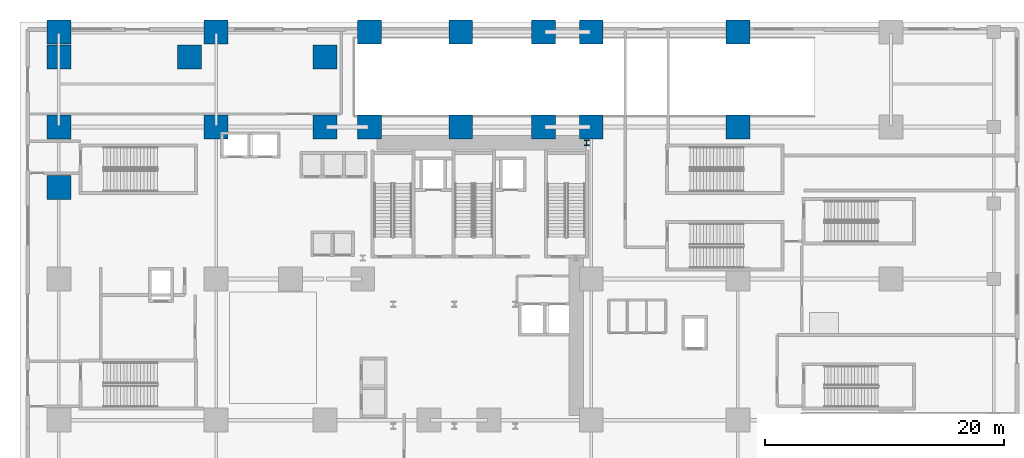
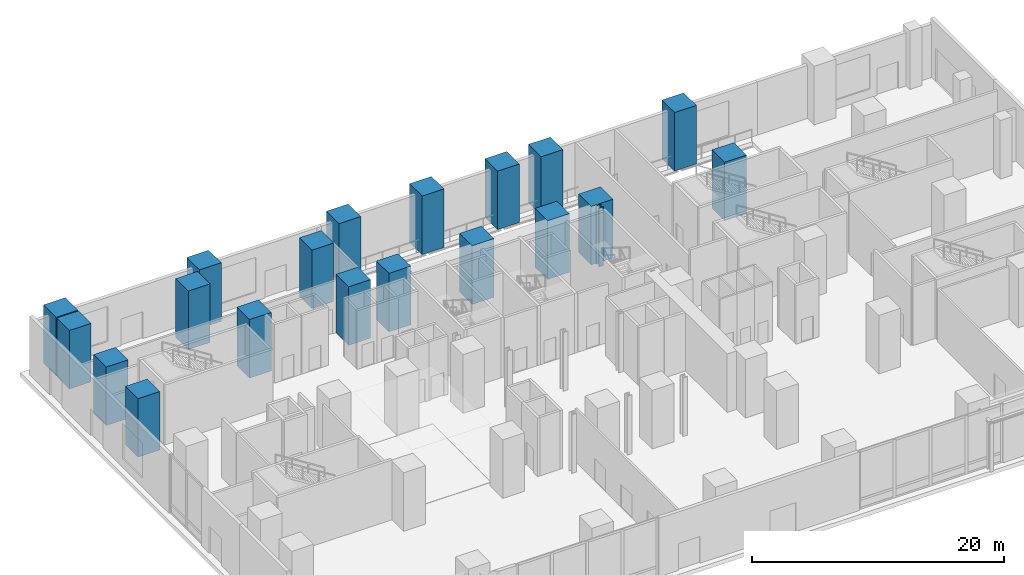
# One storey, part 3 of 25: 20 columns.
"""IFC4 building model written with IfcOpenShell, lengths in metres."""

import ifcopenshell
import ifcopenshell.guid

model = None  # the IFC model being written
_history = None  # IfcOwnerHistory: only IFC2X3 demands one
_inside = {}  # id of a spatial element -> (the spatial element, [elements in it])
_under = {}  # id of a project, library or spatial element -> (it, [spatial elements below it])
_declared = {}  # id of a project -> (the project, [libraries it declares])
_typed = {}  # id of a type object -> (the type object, [elements of that type])
_made_of = {}  # id of a material, layer set ... -> (it, [elements and type objects made of it])


def new_model(schema):
    """Start an empty IFC model of exactly this schema.

    Asked for "IFC4X3", IfcOpenShell would pick the latest addendum, in which some entities
    have other attributes; the version numbers below select the first issue.
    IFC2X3 requires an IfcOwnerHistory on every rooted entity: one is made here for all.
    """
    global model, _history
    if schema == "IFC4X3":
        model = ifcopenshell.file(schema_version=(4, 3, 0, 0))
    else:
        model = ifcopenshell.file(schema=schema)
    _inside.clear()
    _under.clear()
    _declared.clear()
    _typed.clear()
    _made_of.clear()
    _history = None
    if model.schema == "IFC2X3":
        org = make("IfcOrganization", Name="unknown")
        user = make(
            "IfcPersonAndOrganization",
            ThePerson=make("IfcPerson", FamilyName="unknown"),
            TheOrganization=org,
        )
        app = make(
            "IfcApplication",
            ApplicationDeveloper=org,
            Version="unknown",
            ApplicationFullName="unknown",
            ApplicationIdentifier="unknown",
        )
        _history = make(
            "IfcOwnerHistory",
            OwningUser=user,
            OwningApplication=app,
            ChangeAction="ADDED",
            CreationDate=0,
        )
    return model


def make(cls, **values):
    """One entity of the class cls with the attributes given. An attribute that is None is left unset."""
    return model.create_entity(
        cls, **{name: value for name, value in values.items() if value is not None}
    )


def rooted(cls, **values):
    """An entity with a GlobalId (a new one), such as an element, a storey or a relation."""
    return make(cls, GlobalId=ifcopenshell.guid.new(), OwnerHistory=_history, **values)


def si_unit(unit_type, name, prefix=None):
    """IfcSIUnit, for example si_unit("LENGTHUNIT", "METRE", prefix="MILLI")."""
    return make("IfcSIUnit", UnitType=unit_type, Prefix=prefix, Name=name)


def assignment(units):
    """IfcUnitAssignment: the units of a project."""
    return None if units is None else make("IfcUnitAssignment", Units=units)


def point(xyz):
    """IfcCartesianPoint."""
    return None if xyz is None else make("IfcCartesianPoint", Coordinates=xyz)


def direction(xyz):
    """IfcDirection."""
    return None if xyz is None else make("IfcDirection", DirectionRatios=xyz)


def frame(location, z_axis=None, x_axis=None):
    """IfcAxis2Placement3D, a coordinate frame: its origin and axes. An axis left out is left unset."""
    return make(
        "IfcAxis2Placement3D",
        Location=point(location),
        Axis=direction(z_axis),
        RefDirection=direction(x_axis),
    )


def frame_2d(location, x_axis=None):
    """IfcAxis2Placement2D, a coordinate frame in the plane: its origin and x axis."""
    return make(
        "IfcAxis2Placement2D", Location=point(location), RefDirection=direction(x_axis)
    )


def origin():
    """The frame at (0, 0, 0) with its axes left unset."""
    return frame((0.0, 0.0, 0.0))


def origin_2d():
    """The frame at (0, 0) in the plane with its x axis left unset."""
    return frame_2d((0.0, 0.0))


def place(relative_to, where):
    """IfcLocalPlacement: puts the frame where relative to a parent placement (None: the world)."""
    return make(
        "IfcLocalPlacement", PlacementRelTo=relative_to, RelativePlacement=where
    )


def context(
    kind, dimensions, precision=None, world=None, true_north=None, identifier=None
):
    """IfcGeometricRepresentationContext, for example the 3D "Model" context."""
    return make(
        "IfcGeometricRepresentationContext",
        ContextIdentifier=identifier,
        ContextType=kind,
        CoordinateSpaceDimension=dimensions,
        Precision=precision,
        WorldCoordinateSystem=world,
        TrueNorth=true_north,
    )


def subcontext(parent, identifier, kind, view, scale=None):
    """IfcGeometricRepresentationSubContext, for example "Body" below "Model"."""
    return make(
        "IfcGeometricRepresentationSubContext",
        ContextIdentifier=identifier,
        ContextType=kind,
        ParentContext=parent,
        TargetScale=scale,
        TargetView=view,
    )


def project(units=None, contexts=None):
    """IfcProject with its units and contexts."""
    return rooted(
        "IfcProject",
        Name="project",
        RepresentationContexts=contexts,
        UnitsInContext=assignment(units),
    )


def spatial(cls, under=None, at=None, **own):
    """A site, building, storey or space (cls), placed at a placement, below another one or the project."""
    s = rooted(cls, ObjectPlacement=at, **own)
    if under is not None:
        _under.setdefault(under.id(), (under, []))[1].append(s)
    return s


def profile(cls, at=None, kind="AREA", **sizes):
    """A parametric profile (cls). Its sizes go by their IFC names, for example OverallWidth=200.0."""
    return make(cls, ProfileType=kind, Position=at, **sizes)


def rectangle(**sizes):
    """IfcRectangleProfileDef."""
    return profile("IfcRectangleProfileDef", **sizes)


def i_section(**sizes):
    """IfcIShapeProfileDef."""
    return profile("IfcIShapeProfileDef", **sizes)


def extrude(swept, where, along, depth):
    """IfcExtrudedAreaSolid: the profile swept, set in the frame where, extruded along a direction by depth."""
    return make(
        "IfcExtrudedAreaSolid",
        SweptArea=swept,
        Position=where,
        ExtrudedDirection=direction(along),
        Depth=depth,
    )


def shape(context_of_items, identifier, shape_type, items):
    """IfcShapeRepresentation: the items that make up one representation, for example the "Body"."""
    return make(
        "IfcShapeRepresentation",
        ContextOfItems=context_of_items,
        RepresentationIdentifier=identifier,
        RepresentationType=shape_type,
        Items=items,
    )


def source(mapping_origin, context_of_items, identifier, shape_type, items):
    """IfcRepresentationMap: a shape defined once, which mapped items show again and again."""
    return make(
        "IfcRepresentationMap",
        MappingOrigin=mapping_origin,
        MappedRepresentation=shape(context_of_items, identifier, shape_type, items),
    )


def transform(
    local_origin,
    x_axis=None,
    y_axis=None,
    z_axis=None,
    scale=None,
    scale2=None,
    scale3=None,
    uniform=True,
):
    """IfcCartesianTransformationOperator3D, or its non-uniform kind. x_axis, y_axis, z_axis: its Axis1, 2, 3."""
    if uniform:
        return make(
            "IfcCartesianTransformationOperator3D",
            Axis1=direction(x_axis),
            Axis2=direction(y_axis),
            LocalOrigin=point(local_origin),
            Scale=scale,
            Axis3=direction(z_axis),
        )
    return make(
        "IfcCartesianTransformationOperator3DnonUniform",
        Axis1=direction(x_axis),
        Axis2=direction(y_axis),
        LocalOrigin=point(local_origin),
        Scale=scale,
        Axis3=direction(z_axis),
        Scale2=scale2,
        Scale3=scale3,
    )


def mapped(mapping_source, mapping_target):
    """IfcMappedItem: shows the shape of a source again, moved by a transform."""
    return make(
        "IfcMappedItem", MappingSource=mapping_source, MappingTarget=mapping_target
    )


def material(Name=None, Category=None):
    """IfcMaterial."""
    return make("IfcMaterial", Name=Name, Category=Category)


def material_profile(
    of_material, cross_section, Name=None, Category=None, Priority=None
):
    """IfcMaterialProfile: a cross section and its material."""
    return make(
        "IfcMaterialProfile",
        Name=Name,
        Material=of_material,
        Profile=cross_section,
        Priority=Priority,
        Category=Category,
    )


def profile_set(profiles, Name=None, composite=None):
    """IfcMaterialProfileSet."""
    return make(
        "IfcMaterialProfileSet",
        Name=Name,
        MaterialProfiles=profiles,
        CompositeProfile=composite,
    )


def made_of(thing, what):
    """Note that an element or type object is made of a material, layer set ...; save() writes the relation."""
    if what is not None:
        _made_of.setdefault(what.id(), (what, []))[1].append(thing)
    return thing


def type_object(cls, material=None, **own):
    """A type object (cls), such as IfcWallType, which elements share."""
    return made_of(rooted(cls, **own), material)


def element(
    cls,
    number,
    at=None,
    inside=None,
    cuts=None,
    type_object=None,
    material=None,
    context=None,
    identifier="Body",
    shape_type=None,
    held_by="IfcProductDefinitionShape",
    body=None,
    shapes=None,
    **own,
):
    """One element of the class cls, such as IfcWall. Its Tag is "e" and its number.

    at: its placement. inside: the storey or other place that contains it. cuts: it is an
    opening in that element (IfcRelVoidsElement). A single representation is given by context,
    identifier, shape_type and body (its items); several are given by shapes. held_by: the class
    of the entity that holds the representations. save() writes the other relations.
    """
    e = rooted(cls, Tag="e%d" % number, ObjectPlacement=at, **own)
    if body is not None:
        shapes = [shape(context, identifier, shape_type, body)]
    if shapes is not None:
        e.Representation = make(held_by, Representations=shapes)
    if inside is not None:
        _inside.setdefault(inside.id(), (inside, []))[1].append(e)
    if cuts is not None:
        rooted(
            "IfcRelVoidsElement", RelatingBuildingElement=cuts, RelatedOpeningElement=e
        )
    if type_object is not None:
        _typed.setdefault(type_object.id(), (type_object, []))[1].append(e)
    return made_of(e, material)


def aggregate(whole, parts):
    """IfcRelAggregates: a whole, such as a stair, and the parts it consists of."""
    return rooted("IfcRelAggregates", RelatingObject=whole, RelatedObjects=parts)


def save(model, path):
    """Write the relations noted so far, then the file.

    IfcRelAggregates (storeys below a building ...), IfcRelContainedInSpatialStructure (elements
    in a storey), IfcRelDefinesByType, IfcRelAssociatesMaterial and IfcRelDeclares: one each for
    every whole, place, type object, material and project.
    """
    for whole, parts in _under.values():
        aggregate(whole, parts)
    for where, things in _inside.values():
        rooted(
            "IfcRelContainedInSpatialStructure",
            RelatedElements=things,
            RelatingStructure=where,
        )
    for kind, things in _typed.values():
        rooted("IfcRelDefinesByType", RelatedObjects=things, RelatingType=kind)
    for what, things in _made_of.values():
        rooted("IfcRelAssociatesMaterial", RelatedObjects=things, RelatingMaterial=what)
    for by, libraries in _declared.values():
        rooted("IfcRelDeclares", RelatingContext=by, RelatedDefinitions=libraries)
    model.write(path)


model = new_model("IFC4")

# Units and contexts
model_context = context("Model", 3, precision=1e-05, world=origin(), true_north=direction((0.0, 1.0)))
body_context = subcontext(model_context, "Body", "Model", "MODEL_VIEW")
ifc_project = project(units=[si_unit("LENGTHUNIT", "METRE"), si_unit("AREAUNIT", "SQUARE_METRE"), si_unit("VOLUMEUNIT", "CUBIC_METRE"), si_unit("PLANEANGLEUNIT", "RADIAN"), si_unit("MASSUNIT", "GRAM", prefix="KILO")], contexts=[model_context])

# Site, building, storey
site_placement = place(None, origin())
site = spatial("IfcSite", under=ifc_project, at=site_placement, CompositionType="ELEMENT")
building_placement = place(site_placement, origin())
building = spatial("IfcBuilding", under=site, at=building_placement, Name="Vardaveli Station Tower", CompositionType="ELEMENT")
storey_placement = place(building_placement, origin())
storey = spatial("IfcBuildingStorey", under=building, at=storey_placement, Name="L01", CompositionType="ELEMENT", Elevation=0.0)

# Columns
ifc_material_1 = material(Name="Structural steel S460M", Category="steel")
ifc_material_profile_1 = material_profile(ifc_material_1, i_section(OverallWidth=0.427978515625, OverallDepth=0.48095703125, WebThickness=0.03955078125, FlangeThickness=0.0634765625, FilletRadius=0.014892578125, at=origin_2d()), Name="HD 400x677")
ifc_profile_set_1 = profile_set([ifc_material_profile_1], Name="Structural steel S460M")
column_type_1 = type_object("IfcColumnType", Name="COL-HD677", PredefinedType="COLUMN", material=ifc_profile_set_1)
shared_shape_1 = source(origin(), body_context, "Body", "SweptSolid", [
    extrude(i_section(OverallWidth=0.427978515625, OverallDepth=0.48095703125, WebThickness=0.03955078125, FlangeThickness=0.0634765625, FilletRadius=0.014892578125, at=origin_2d()), origin(), (0.0, 0.0, 1.0), 5.679931640625),
])
column_placement = place(storey_placement, frame((47.3701171875, 40.300048828125, 0.0), z_axis=(0.0, 0.0, 1.0), x_axis=(1.0, 0.0, 0.0)))
element("IfcColumn", 1, at=column_placement, inside=storey, type_object=column_type_1, Name="COL-L01-CC3", PredefinedType="COLUMN", context=body_context, shape_type="MappedRepresentation", body=[
    mapped(shared_shape_1, transform((0.0, 0.0, 0.0), scale=1.0)),
])
ifc_material_2 = material(Name="Concrete C70/85", Category="concrete")
ifc_material_profile_2 = material_profile(ifc_material_2, rectangle(XDim=2.0, YDim=2.0, at=origin_2d()), Name="SC 2000x2000")
ifc_profile_set_2 = profile_set([ifc_material_profile_2], Name="Concrete C70/85")
column_type_2 = type_object("IfcColumnType", Name="COL-SC-2000", PredefinedType="COLUMN", material=ifc_profile_set_2)
shared_shape_2 = source(origin(), body_context, "Body", "SweptSolid", [
    extrude(rectangle(XDim=2.0, YDim=2.0, at=origin_2d()), origin(), (0.0, 0.0, 1.0), 5.679931640625),
])
for number, where, z_axis, x_axis, name in (
    (2, (3.25, 36.5400390625, 0.0), (0.0, 0.0, 1.0), (1.0, 0.0, 0.0), "COL-L01-SC20"),
    (3, (3.25, 41.60009765625, 0.0), (0.0, 0.0, 1.0), (1.0, 0.0, 0.0), "COL-L01-SC20B"),
    (4, (3.25, 49.550048828125, 0.0), (0.0, 0.0, 1.0), (1.0, 0.0, 0.0), "COL-L01-SC20C"),
    (5, (16.39990234375, 41.60009765625, 0.0), (0.0, 0.0, 1.0), (1.0, 0.0, 0.0), "COL-L01-SC21"),
    (6, (25.5, 41.60009765625, 0.0), (0.0, 0.0, 1.0), (1.0, 0.0, 0.0), "COL-L01-SC21B"),
    (7, (29.199951171875, 41.60009765625, 0.0), (0.0, 0.0, 1.0), (1.0, 0.0, 0.0), "COL-L01-SC22"),
    (8, (36.840087890625, 41.60009765625, 0.0), (0.0, 0.0, 1.0), (1.0, 0.0, 0.0), "COL-L01-SC23"),
    (9, (43.75, 41.60009765625, 0.0), (0.0, 0.0, 1.0), (1.0, 0.0, 0.0), "COL-L01-SC24"),
    (10, (47.75, 41.60009765625, 0.0), (0.0, 0.0, 1.0), (1.0, 0.0, 0.0), "COL-L01-SC25"),
    (11, (60.0, 41.60009765625, 0.0), (0.0, 0.0, 1.0), (1.0, 0.0, 0.0), "COL-L01-SC26"),
    (12, (3.25, 47.449951171875, 0.0), (0.0, 0.0, 1.0), (1.0, 0.0, 0.0), "COL-L01-SC28"),
    (13, (14.159912109375, 47.449951171875, 0.0), (0.0, 0.0, 1.0), (1.0, 0.0, 0.0), "COL-L01-SC29"),
    (14, (25.5, 47.449951171875, 0.0), (0.0, 0.0, 1.0), (1.0, 0.0, 0.0), "COL-L01-SC30"),
    (15, (16.39990234375, 49.550048828125, 0.0), (0.0, 0.0, 1.0), (1.0, 0.0, 0.0), "COL-L01-SC30B"),
    (16, (29.199951171875, 49.550048828125, 0.0), (0.0, 0.0, 1.0), (1.0, 0.0, 0.0), "COL-L01-SC31"),
    (17, (36.840087890625, 49.550048828125, 0.0), (0.0, 0.0, 1.0), (1.0, 0.0, 0.0), "COL-L01-SC32"),
    (18, (43.75, 49.550048828125, 0.0), (0.0, 0.0, 1.0), (1.0, 0.0, 0.0), "COL-L01-SC33"),
    (19, (47.75, 49.550048828125, 0.0), (0.0, 0.0, 1.0), (1.0, 0.0, 0.0), "COL-L01-SC34"),
    (20, (60.0, 49.550048828125, 0.0), (0.0, 0.0, 1.0), (1.0, 0.0, 0.0), "COL-L01-SC35"),
):
    element("IfcColumn", number, at=place(storey_placement, frame(where, z_axis=z_axis, x_axis=x_axis)), inside=storey, type_object=column_type_2, Name=name, PredefinedType="COLUMN", context=body_context, shape_type="MappedRepresentation", body=[
        mapped(shared_shape_2, transform((0.0, 0.0, 0.0), scale=1.0)),
    ])

save(model, "model.ifc")
